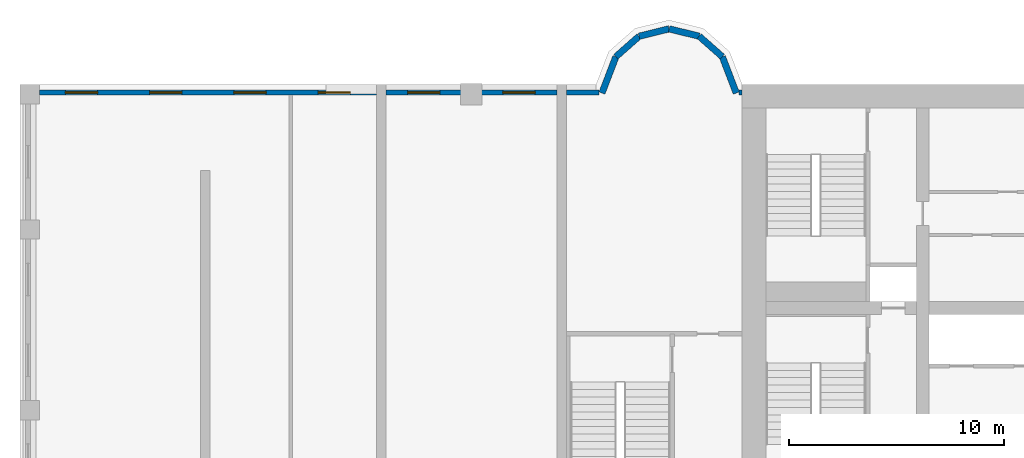
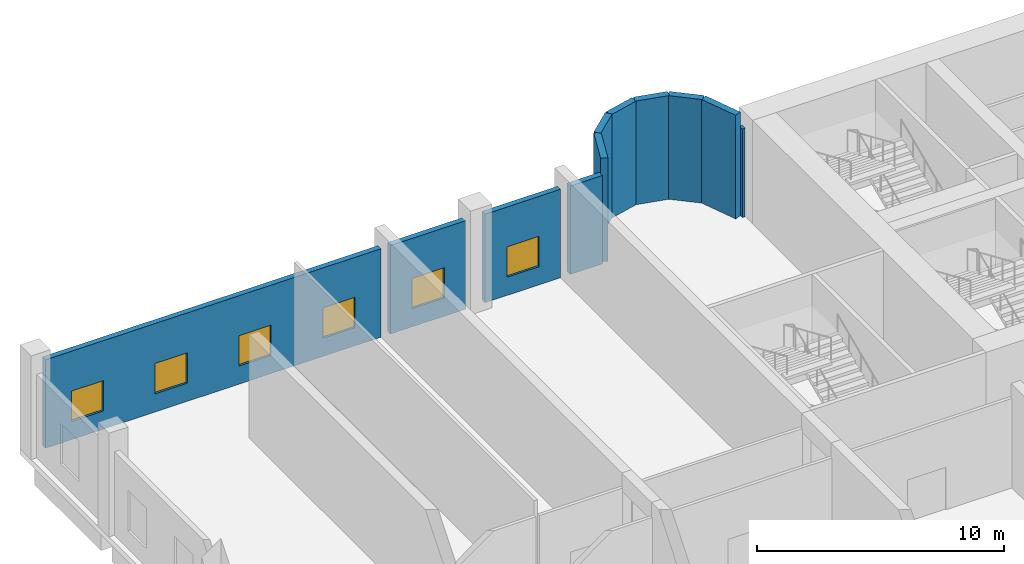
# One storey, part 15 of 20: 11 walls, 6 windows, 6 openings.
"""IFC4 building model written with IfcOpenShell, lengths in metres."""

import ifcopenshell
import ifcopenshell.guid

model = None  # the IFC model being written
_history = None  # IfcOwnerHistory: only IFC2X3 demands one
_inside = {}  # id of a spatial element -> (the spatial element, [elements in it])
_under = {}  # id of a project, library or spatial element -> (it, [spatial elements below it])
_declared = {}  # id of a project -> (the project, [libraries it declares])
_typed = {}  # id of a type object -> (the type object, [elements of that type])
_made_of = {}  # id of a material, layer set ... -> (it, [elements and type objects made of it])


def new_model(schema):
    """Start an empty IFC model of exactly this schema.

    Asked for "IFC4X3", IfcOpenShell would pick the latest addendum, in which some entities
    have other attributes; the version numbers below select the first issue.
    IFC2X3 requires an IfcOwnerHistory on every rooted entity: one is made here for all.
    """
    global model, _history
    if schema == "IFC4X3":
        model = ifcopenshell.file(schema_version=(4, 3, 0, 0))
    else:
        model = ifcopenshell.file(schema=schema)
    _inside.clear()
    _under.clear()
    _declared.clear()
    _typed.clear()
    _made_of.clear()
    _history = None
    if model.schema == "IFC2X3":
        org = make("IfcOrganization", Name="unknown")
        user = make(
            "IfcPersonAndOrganization",
            ThePerson=make("IfcPerson", FamilyName="unknown"),
            TheOrganization=org,
        )
        app = make(
            "IfcApplication",
            ApplicationDeveloper=org,
            Version="unknown",
            ApplicationFullName="unknown",
            ApplicationIdentifier="unknown",
        )
        _history = make(
            "IfcOwnerHistory",
            OwningUser=user,
            OwningApplication=app,
            ChangeAction="ADDED",
            CreationDate=0,
        )
    return model


def make(cls, **values):
    """One entity of the class cls with the attributes given. An attribute that is None is left unset."""
    return model.create_entity(
        cls, **{name: value for name, value in values.items() if value is not None}
    )


def rooted(cls, **values):
    """An entity with a GlobalId (a new one), such as an element, a storey or a relation."""
    return make(cls, GlobalId=ifcopenshell.guid.new(), OwnerHistory=_history, **values)


def si_unit(unit_type, name, prefix=None):
    """IfcSIUnit, for example si_unit("LENGTHUNIT", "METRE", prefix="MILLI")."""
    return make("IfcSIUnit", UnitType=unit_type, Prefix=prefix, Name=name)


def assignment(units):
    """IfcUnitAssignment: the units of a project."""
    return None if units is None else make("IfcUnitAssignment", Units=units)


def point(xyz):
    """IfcCartesianPoint."""
    return None if xyz is None else make("IfcCartesianPoint", Coordinates=xyz)


def direction(xyz):
    """IfcDirection."""
    return None if xyz is None else make("IfcDirection", DirectionRatios=xyz)


def frame(location, z_axis=None, x_axis=None):
    """IfcAxis2Placement3D, a coordinate frame: its origin and axes. An axis left out is left unset."""
    return make(
        "IfcAxis2Placement3D",
        Location=point(location),
        Axis=direction(z_axis),
        RefDirection=direction(x_axis),
    )


def frame_2d(location, x_axis=None):
    """IfcAxis2Placement2D, a coordinate frame in the plane: its origin and x axis."""
    return make(
        "IfcAxis2Placement2D", Location=point(location), RefDirection=direction(x_axis)
    )


def origin():
    """The frame at (0, 0, 0) with its axes left unset."""
    return frame((0.0, 0.0, 0.0))


def place(relative_to, where):
    """IfcLocalPlacement: puts the frame where relative to a parent placement (None: the world)."""
    return make(
        "IfcLocalPlacement", PlacementRelTo=relative_to, RelativePlacement=where
    )


def context(
    kind, dimensions, precision=None, world=None, true_north=None, identifier=None
):
    """IfcGeometricRepresentationContext, for example the 3D "Model" context."""
    return make(
        "IfcGeometricRepresentationContext",
        ContextIdentifier=identifier,
        ContextType=kind,
        CoordinateSpaceDimension=dimensions,
        Precision=precision,
        WorldCoordinateSystem=world,
        TrueNorth=true_north,
    )


def subcontext(parent, identifier, kind, view, scale=None):
    """IfcGeometricRepresentationSubContext, for example "Body" below "Model"."""
    return make(
        "IfcGeometricRepresentationSubContext",
        ContextIdentifier=identifier,
        ContextType=kind,
        ParentContext=parent,
        TargetScale=scale,
        TargetView=view,
    )


def project(units=None, contexts=None):
    """IfcProject with its units and contexts."""
    return rooted(
        "IfcProject",
        Name="project",
        RepresentationContexts=contexts,
        UnitsInContext=assignment(units),
    )


def spatial(cls, under=None, at=None, **own):
    """A site, building, storey or space (cls), placed at a placement, below another one or the project."""
    s = rooted(cls, ObjectPlacement=at, **own)
    if under is not None:
        _under.setdefault(under.id(), (under, []))[1].append(s)
    return s


def profile(cls, at=None, kind="AREA", **sizes):
    """A parametric profile (cls). Its sizes go by their IFC names, for example OverallWidth=200.0."""
    return make(cls, ProfileType=kind, Position=at, **sizes)


def rectangle(**sizes):
    """IfcRectangleProfileDef."""
    return profile("IfcRectangleProfileDef", **sizes)


def extrude(swept, where, along, depth):
    """IfcExtrudedAreaSolid: the profile swept, set in the frame where, extruded along a direction by depth."""
    return make(
        "IfcExtrudedAreaSolid",
        SweptArea=swept,
        Position=where,
        ExtrudedDirection=direction(along),
        Depth=depth,
    )


def shape(context_of_items, identifier, shape_type, items):
    """IfcShapeRepresentation: the items that make up one representation, for example the "Body"."""
    return make(
        "IfcShapeRepresentation",
        ContextOfItems=context_of_items,
        RepresentationIdentifier=identifier,
        RepresentationType=shape_type,
        Items=items,
    )


def source(mapping_origin, context_of_items, identifier, shape_type, items):
    """IfcRepresentationMap: a shape defined once, which mapped items show again and again."""
    return make(
        "IfcRepresentationMap",
        MappingOrigin=mapping_origin,
        MappedRepresentation=shape(context_of_items, identifier, shape_type, items),
    )


def transform(
    local_origin,
    x_axis=None,
    y_axis=None,
    z_axis=None,
    scale=None,
    scale2=None,
    scale3=None,
    uniform=True,
):
    """IfcCartesianTransformationOperator3D, or its non-uniform kind. x_axis, y_axis, z_axis: its Axis1, 2, 3."""
    if uniform:
        return make(
            "IfcCartesianTransformationOperator3D",
            Axis1=direction(x_axis),
            Axis2=direction(y_axis),
            LocalOrigin=point(local_origin),
            Scale=scale,
            Axis3=direction(z_axis),
        )
    return make(
        "IfcCartesianTransformationOperator3DnonUniform",
        Axis1=direction(x_axis),
        Axis2=direction(y_axis),
        LocalOrigin=point(local_origin),
        Scale=scale,
        Axis3=direction(z_axis),
        Scale2=scale2,
        Scale3=scale3,
    )


def mapped(mapping_source, mapping_target):
    """IfcMappedItem: shows the shape of a source again, moved by a transform."""
    return make(
        "IfcMappedItem", MappingSource=mapping_source, MappingTarget=mapping_target
    )


def material(Name=None, Category=None):
    """IfcMaterial."""
    return make("IfcMaterial", Name=Name, Category=Category)


def layer(
    of_material, thickness, ventilated=None, Name=None, Category=None, Priority=None
):
    """IfcMaterialLayer: one layer of a wall or slab, of a material (None: an air gap)."""
    return make(
        "IfcMaterialLayer",
        Material=of_material,
        LayerThickness=thickness,
        IsVentilated=ventilated,
        Name=Name,
        Category=Category,
        Priority=Priority,
    )


def layer_set(layers, Name=None):
    """IfcMaterialLayerSet."""
    return make("IfcMaterialLayerSet", MaterialLayers=layers, LayerSetName=Name)


def made_of(thing, what):
    """Note that an element or type object is made of a material, layer set ...; save() writes the relation."""
    if what is not None:
        _made_of.setdefault(what.id(), (what, []))[1].append(thing)
    return thing


def type_object(cls, material=None, **own):
    """A type object (cls), such as IfcWallType, which elements share."""
    return made_of(rooted(cls, **own), material)


def element(
    cls,
    number,
    at=None,
    inside=None,
    cuts=None,
    type_object=None,
    material=None,
    context=None,
    identifier="Body",
    shape_type=None,
    held_by="IfcProductDefinitionShape",
    body=None,
    shapes=None,
    **own,
):
    """One element of the class cls, such as IfcWall. Its Tag is "e" and its number.

    at: its placement. inside: the storey or other place that contains it. cuts: it is an
    opening in that element (IfcRelVoidsElement). A single representation is given by context,
    identifier, shape_type and body (its items); several are given by shapes. held_by: the class
    of the entity that holds the representations. save() writes the other relations.
    """
    e = rooted(cls, Tag="e%d" % number, ObjectPlacement=at, **own)
    if body is not None:
        shapes = [shape(context, identifier, shape_type, body)]
    if shapes is not None:
        e.Representation = make(held_by, Representations=shapes)
    if inside is not None:
        _inside.setdefault(inside.id(), (inside, []))[1].append(e)
    if cuts is not None:
        rooted(
            "IfcRelVoidsElement", RelatingBuildingElement=cuts, RelatedOpeningElement=e
        )
    if type_object is not None:
        _typed.setdefault(type_object.id(), (type_object, []))[1].append(e)
    return made_of(e, material)


def fill(opening, filler):
    """IfcRelFillsElement: the door or window that sits in an opening."""
    return rooted(
        "IfcRelFillsElement",
        RelatingOpeningElement=opening,
        RelatedBuildingElement=filler,
    )


def aggregate(whole, parts):
    """IfcRelAggregates: a whole, such as a stair, and the parts it consists of."""
    return rooted("IfcRelAggregates", RelatingObject=whole, RelatedObjects=parts)


def save(model, path):
    """Write the relations noted so far, then the file.

    IfcRelAggregates (storeys below a building ...), IfcRelContainedInSpatialStructure (elements
    in a storey), IfcRelDefinesByType, IfcRelAssociatesMaterial and IfcRelDeclares: one each for
    every whole, place, type object, material and project.
    """
    for whole, parts in _under.values():
        aggregate(whole, parts)
    for where, things in _inside.values():
        rooted(
            "IfcRelContainedInSpatialStructure",
            RelatedElements=things,
            RelatingStructure=where,
        )
    for kind, things in _typed.values():
        rooted("IfcRelDefinesByType", RelatedObjects=things, RelatingType=kind)
    for what, things in _made_of.values():
        rooted("IfcRelAssociatesMaterial", RelatedObjects=things, RelatingMaterial=what)
    for by, libraries in _declared.values():
        rooted("IfcRelDeclares", RelatingContext=by, RelatedDefinitions=libraries)
    model.write(path)


model = new_model("IFC4")

# Units and contexts
model_context = context("Model", 3, precision=1e-05, world=origin(), true_north=direction((0.0, 1.0)))
body_context = subcontext(model_context, "Body", "Model", "MODEL_VIEW")
ifc_project = project(units=[si_unit("LENGTHUNIT", "METRE"), si_unit("AREAUNIT", "SQUARE_METRE"), si_unit("VOLUMEUNIT", "CUBIC_METRE"), si_unit("PLANEANGLEUNIT", "RADIAN"), si_unit("MASSUNIT", "GRAM", prefix="KILO")], contexts=[model_context])

# Site, building, storey
site_placement = place(None, origin())
site = spatial("IfcSite", under=ifc_project, at=site_placement, CompositionType="ELEMENT")
building_placement = place(site_placement, origin())
building = spatial("IfcBuilding", under=site, at=building_placement, Name="Vanashikhar Sky Hotel", CompositionType="ELEMENT")
storey_placement = place(building_placement, frame((0.0, 0.0, 6.0)))
storey = spatial("IfcBuildingStorey", under=building, at=storey_placement, Name="L01", CompositionType="ELEMENT", Elevation=6.0)

# Wall, opening, window
ifc_material_1 = material(Name="Concrete M50", Category="concrete")
ifc_layer_1 = layer(ifc_material_1, 0.25)
ifc_layer_set_1 = layer_set([ifc_layer_1], Name="Rear and end board-marked wall 250")
wall_type_1 = type_object("IfcWallType", Name="Rear and end board-marked wall 250", PredefinedType="SOLIDWALL", material=ifc_layer_set_1)
shared_shape_1 = source(origin(), body_context, "Body", "SweptSolid", [
    extrude(rectangle(XDim=3.52490234375, YDim=0.25, at=frame_2d((1.762451171875, 0.0))), origin(), (0.0, 0.0, 1.0), 4.3701171875),
])
wall_1_placement = place(storey_placement, frame((16.574951171875, 41.625, 0.0), z_axis=(0.0, 0.0, 1.0), x_axis=(-1.0, 0.0, 0.0)))
wall_1 = element("IfcWall", 1, at=wall_1_placement, inside=storey, type_object=wall_type_1, Name="Podium external wall", PredefinedType="SOLIDWALL", context=body_context, shape_type="MappedRepresentation", body=[
    mapped(shared_shape_1, transform((0.0, 0.0, 0.0), scale=1.0)),
])
shared_shape_2 = source(origin(), body_context, "Body", "SweptSolid", [
    extrude(rectangle(XDim=1.5, YDim=1.5, at=frame_2d((0.75, 0.75))), frame((0.0, 0.135009765625, 0.0), z_axis=(0.0, -1.0, 0.0), x_axis=(1.0, 0.0, 0.0)), (0.0, 0.0, 1.0), 0.27001953125),
])
opening_1_placement = place(wall_1_placement, frame((1.012451171875, 0.0, 0.89990234375)))
opening_1 = element("IfcOpeningElement", 2, at=opening_1_placement, cuts=wall_1, Name="Opening WN-1", PredefinedType="OPENING", context=body_context, shape_type="MappedRepresentation", body=[
    mapped(shared_shape_2, transform((0.0, 0.0, 0.0), scale=1.0)),
])
ifc_material_2 = material(Name="Glass", Category="glass")
window_type = type_object("IfcWindowType", Name="Window 1500 x 1500", PartitioningType="SINGLE_PANEL", PredefinedType="WINDOW", material=ifc_material_2)
shared_shape_3 = source(origin(), body_context, "Body", "SweptSolid", [
    extrude(rectangle(XDim=1.5, YDim=1.5, at=frame_2d((0.75, 0.75))), frame((0.0, 0.030029296875, 0.0), z_axis=(0.0, -1.0, 0.0), x_axis=(1.0, 0.0, 0.0)), (0.0, 0.0, 1.0), 0.06005859375),
])
window_1_placement = place(opening_1_placement, origin())
window_1 = element("IfcWindow", 3, at=window_1_placement, inside=storey, type_object=window_type, Name="Window WN-1", OverallHeight=1.5, OverallWidth=1.5, PartitioningType="SINGLE_PANEL", PredefinedType="WINDOW", context=body_context, shape_type="MappedRepresentation", body=[
    mapped(shared_shape_3, transform((0.0, 0.0, 0.0), scale=1.0)),
])
fill(opening_1, window_1)

wall_2_placement = place(storey_placement, frame((12.14990234375, 41.625, 0.0), z_axis=(0.0, 0.0, 1.0), x_axis=(-1.0, 0.0, 0.0)))
wall_2 = element("IfcWall", 4, at=wall_2_placement, inside=storey, type_object=wall_type_1, Name="Podium external wall", PredefinedType="SOLIDWALL", context=body_context, shape_type="MappedRepresentation", body=[
    mapped(shared_shape_1, transform((0.0, 0.0, 0.0), scale=1.0)),
])
opening_2_placement = place(wall_2_placement, frame((1.012451171875, 0.0, 0.89990234375)))
opening_2 = element("IfcOpeningElement", 5, at=opening_2_placement, cuts=wall_2, Name="Opening WN-1", PredefinedType="OPENING", context=body_context, shape_type="MappedRepresentation", body=[
    mapped(shared_shape_2, transform((0.0, 0.0, 0.0), scale=1.0)),
])
window_2_placement = place(opening_2_placement, origin())
window_2 = element("IfcWindow", 6, at=window_2_placement, inside=storey, type_object=window_type, Name="Window WN-1", OverallHeight=1.5, OverallWidth=1.5, PartitioningType="SINGLE_PANEL", PredefinedType="WINDOW", context=body_context, shape_type="MappedRepresentation", body=[
    mapped(shared_shape_3, transform((0.0, 0.0, 0.0), scale=1.0)),
])
fill(opening_2, window_2)

# Wall, openings, windows
shared_shape_4 = source(origin(), body_context, "Body", "SweptSolid", [
    extrude(rectangle(XDim=15.675048828125, YDim=0.25, at=frame_2d((7.83740234375, 0.0))), origin(), (0.0, 0.0, 1.0), 4.3701171875),
])
wall_3_placement = place(storey_placement, frame((8.175048828125, 41.625, 0.0), z_axis=(0.0, 0.0, 1.0), x_axis=(-1.0, 0.0, 0.0)))
wall_3 = element("IfcWall", 7, at=wall_3_placement, inside=storey, type_object=wall_type_1, Name="Podium external wall", PredefinedType="SOLIDWALL", context=body_context, shape_type="MappedRepresentation", body=[
    mapped(shared_shape_4, transform((0.0, 0.0, 0.0), scale=1.0)),
])
opening_3_placement = place(wall_3_placement, frame((1.20947265625, 0.0, 0.89990234375)))
opening_3 = element("IfcOpeningElement", 8, at=opening_3_placement, cuts=wall_3, Name="Opening WN-1", PredefinedType="OPENING", context=body_context, shape_type="MappedRepresentation", body=[
    mapped(shared_shape_2, transform((0.0, 0.0, 0.0), scale=1.0)),
])
opening_4_placement = place(wall_3_placement, frame((5.128173828125, 0.0, 0.89990234375)))
opening_4 = element("IfcOpeningElement", 9, at=opening_4_placement, cuts=wall_3, Name="Opening WN-1", PredefinedType="OPENING", context=body_context, shape_type="MappedRepresentation", body=[
    mapped(shared_shape_2, transform((0.0, 0.0, 0.0), scale=1.0)),
])
opening_5_placement = place(wall_3_placement, frame((9.046875, 0.0, 0.89990234375)))
opening_5 = element("IfcOpeningElement", 10, at=opening_5_placement, cuts=wall_3, Name="Opening WN-1", PredefinedType="OPENING", context=body_context, shape_type="MappedRepresentation", body=[
    mapped(shared_shape_2, transform((0.0, 0.0, 0.0), scale=1.0)),
])
opening_6_placement = place(wall_3_placement, frame((12.965576171875, 0.0, 0.89990234375)))
opening_6 = element("IfcOpeningElement", 11, at=opening_6_placement, cuts=wall_3, Name="Opening WN-1", PredefinedType="OPENING", context=body_context, shape_type="MappedRepresentation", body=[
    mapped(shared_shape_2, transform((0.0, 0.0, 0.0), scale=1.0)),
])
window_3_placement = place(opening_3_placement, origin())
window_3 = element("IfcWindow", 12, at=window_3_placement, inside=storey, type_object=window_type, Name="Window WN-1", OverallHeight=1.5, OverallWidth=1.5, PartitioningType="SINGLE_PANEL", PredefinedType="WINDOW", context=body_context, shape_type="MappedRepresentation", body=[
    mapped(shared_shape_3, transform((0.0, 0.0, 0.0), scale=1.0)),
])
fill(opening_3, window_3)
window_4_placement = place(opening_4_placement, origin())
window_4 = element("IfcWindow", 13, at=window_4_placement, inside=storey, type_object=window_type, Name="Window WN-1", OverallHeight=1.5, OverallWidth=1.5, PartitioningType="SINGLE_PANEL", PredefinedType="WINDOW", context=body_context, shape_type="MappedRepresentation", body=[
    mapped(shared_shape_3, transform((0.0, 0.0, 0.0), scale=1.0)),
])
fill(opening_4, window_4)
window_5_placement = place(opening_5_placement, origin())
window_5 = element("IfcWindow", 14, at=window_5_placement, inside=storey, type_object=window_type, Name="Window WN-1", OverallHeight=1.5, OverallWidth=1.5, PartitioningType="SINGLE_PANEL", PredefinedType="WINDOW", context=body_context, shape_type="MappedRepresentation", body=[
    mapped(shared_shape_3, transform((0.0, 0.0, 0.0), scale=1.0)),
])
fill(opening_5, window_5)
window_6_placement = place(opening_6_placement, origin())
window_6 = element("IfcWindow", 15, at=window_6_placement, inside=storey, type_object=window_type, Name="Window WN-1", OverallHeight=1.5, OverallWidth=1.5, PartitioningType="SINGLE_PANEL", PredefinedType="WINDOW", context=body_context, shape_type="MappedRepresentation", body=[
    mapped(shared_shape_3, transform((0.0, 0.0, 0.0), scale=1.0)),
])
fill(opening_6, window_6)

# Walls
ifc_layer_2 = layer(ifc_material_1, 0.300048828125)
ifc_layer_set_2 = layer_set([ifc_layer_2], Name="Lobe wall 300")
wall_type_2 = type_object("IfcWallType", Name="Lobe wall 300", PredefinedType="SOLIDWALL", material=ifc_layer_set_2)
shared_shape_5 = source(origin(), body_context, "Body", "SweptSolid", [
    extrude(rectangle(XDim=1.81201171875, YDim=0.300048828125, at=frame_2d((0.906005859375, 0.0))), origin(), (0.0, 0.0, 1.0), 5.1201171875),
])
wall_4_placement = place(storey_placement, frame((19.323486328125, 43.2919921875, 0.0), z_axis=(0.0, 0.0, 1.0), x_axis=(-0.357877270961, -0.93376863244, 0.0)))
element("IfcWall", 16, at=wall_4_placement, inside=storey, type_object=wall_type_2, Name="Lobe wall", PredefinedType="SOLIDWALL", context=body_context, shape_type="MappedRepresentation", body=[
    mapped(shared_shape_5, transform((0.0, 0.0, 0.0), scale=1.0)),
])
shared_shape_6 = source(origin(), body_context, "Body", "SweptSolid", [
    extrude(rectangle(XDim=1.43994140625, YDim=0.300048828125, at=frame_2d((0.719970703125, 0.0))), origin(), (0.0, 0.0, 1.0), 5.1201171875),
])
wall_5_placement = place(storey_placement, frame((20.40283203125, 44.2451171875, 0.0), z_axis=(0.0, 0.0, 1.0), x_axis=(-0.74957555648, -0.661918790432, 0.0)))
element("IfcWall", 17, at=wall_5_placement, inside=storey, type_object=wall_type_2, Name="Lobe wall", PredefinedType="SOLIDWALL", context=body_context, shape_type="MappedRepresentation", body=[
    mapped(shared_shape_6, transform((0.0, 0.0, 0.0), scale=1.0)),
])
shared_shape_7 = source(origin(), body_context, "Body", "SweptSolid", [
    extrude(rectangle(XDim=1.438720703125, YDim=0.300048828125, at=frame_2d((0.71923828125, 0.0))), origin(), (0.0, 0.0, 1.0), 5.1201171875),
])
wall_6_placement = place(storey_placement, frame((21.800048828125, 44.588134765625, 0.0), z_axis=(0.0, 0.0, 1.0), x_axis=(-0.971161932466, -0.238420848351, 0.0)))
element("IfcWall", 18, at=wall_6_placement, inside=storey, type_object=wall_type_2, Name="Lobe wall", PredefinedType="SOLIDWALL", context=body_context, shape_type="MappedRepresentation", body=[
    mapped(shared_shape_7, transform((0.0, 0.0, 0.0), scale=1.0)),
])
shared_shape_8 = source(origin(), body_context, "Body", "SweptSolid", [
    extrude(rectangle(XDim=0.137939453125, YDim=0.25, at=frame_2d((0.06884765625, 0.0))), origin(), (0.0, 0.0, 1.0), 4.3701171875),
])
wall_7_placement = place(storey_placement, frame((25.199951171875, 41.625, 0.0), z_axis=(0.0, 0.0, 1.0), x_axis=(-1.0, 0.0, 0.0)))
element("IfcWall", 19, at=wall_7_placement, inside=storey, type_object=wall_type_1, Name="Podium external wall", PredefinedType="SOLIDWALL", context=body_context, shape_type="MappedRepresentation", body=[
    mapped(shared_shape_8, transform((0.0, 0.0, 0.0), scale=1.0)),
])
shared_shape_9 = source(origin(), body_context, "Body", "SweptSolid", [
    extrude(rectangle(XDim=1.811767578125, YDim=0.300048828125, at=frame_2d((0.90576171875, 0.0))), origin(), (0.0, 0.0, 1.0), 5.1201171875),
])
wall_8_placement = place(storey_placement, frame((24.9248046875, 41.60009765625, 0.0), z_axis=(0.0, 0.0, 1.0), x_axis=(-0.357759776872, 0.933813654886, 0.0)))
element("IfcWall", 20, at=wall_8_placement, inside=storey, type_object=wall_type_2, Name="Lobe wall", PredefinedType="SOLIDWALL", context=body_context, shape_type="MappedRepresentation", body=[
    mapped(shared_shape_9, transform((0.0, 0.0, 0.0), scale=1.0)),
])
shared_shape_10 = source(origin(), body_context, "Body", "SweptSolid", [
    extrude(rectangle(XDim=1.440185546875, YDim=0.300048828125, at=frame_2d((0.72021484375, 0.0))), origin(), (0.0, 0.0, 1.0), 5.1201171875),
])
wall_9_placement = place(storey_placement, frame((24.276611328125, 43.2919921875, 0.0), z_axis=(0.0, 0.0, 1.0), x_axis=(-0.749649827867, 0.661834673902, 0.0)))
element("IfcWall", 21, at=wall_9_placement, inside=storey, type_object=wall_type_2, Name="Lobe wall", PredefinedType="SOLIDWALL", context=body_context, shape_type="MappedRepresentation", body=[
    mapped(shared_shape_10, transform((0.0, 0.0, 0.0), scale=1.0)),
])
shared_shape_11 = source(origin(), body_context, "Body", "SweptSolid", [
    extrude(rectangle(XDim=1.4384765625, YDim=0.300048828125, at=frame_2d((0.71923828125, 0.0))), origin(), (0.0, 0.0, 1.0), 5.1201171875),
])
wall_10_placement = place(storey_placement, frame((23.197021484375, 44.2451171875, 0.0), z_axis=(0.0, 0.0, 1.0), x_axis=(-0.971152283879, 0.238460146601, 0.0)))
element("IfcWall", 22, at=wall_10_placement, inside=storey, type_object=wall_type_2, Name="Lobe wall", PredefinedType="SOLIDWALL", context=body_context, shape_type="MappedRepresentation", body=[
    mapped(shared_shape_11, transform((0.0, 0.0, 0.0), scale=1.0)),
])
shared_shape_12 = source(origin(), body_context, "Body", "SweptSolid", [
    extrude(rectangle(XDim=1.512939453125, YDim=0.25, at=frame_2d((0.75634765625, 0.0))), origin(), (0.0, 0.0, 1.0), 4.3701171875),
])
wall_11_placement = place(storey_placement, frame((18.537841796875, 41.625, 0.0), z_axis=(0.0, 0.0, 1.0), x_axis=(-1.0, 0.0, 0.0)))
element("IfcWall", 23, at=wall_11_placement, inside=storey, type_object=wall_type_1, Name="Podium external wall", PredefinedType="SOLIDWALL", context=body_context, shape_type="MappedRepresentation", body=[
    mapped(shared_shape_12, transform((0.0, 0.0, 0.0), scale=1.0)),
])

save(model, "model.ifc")
